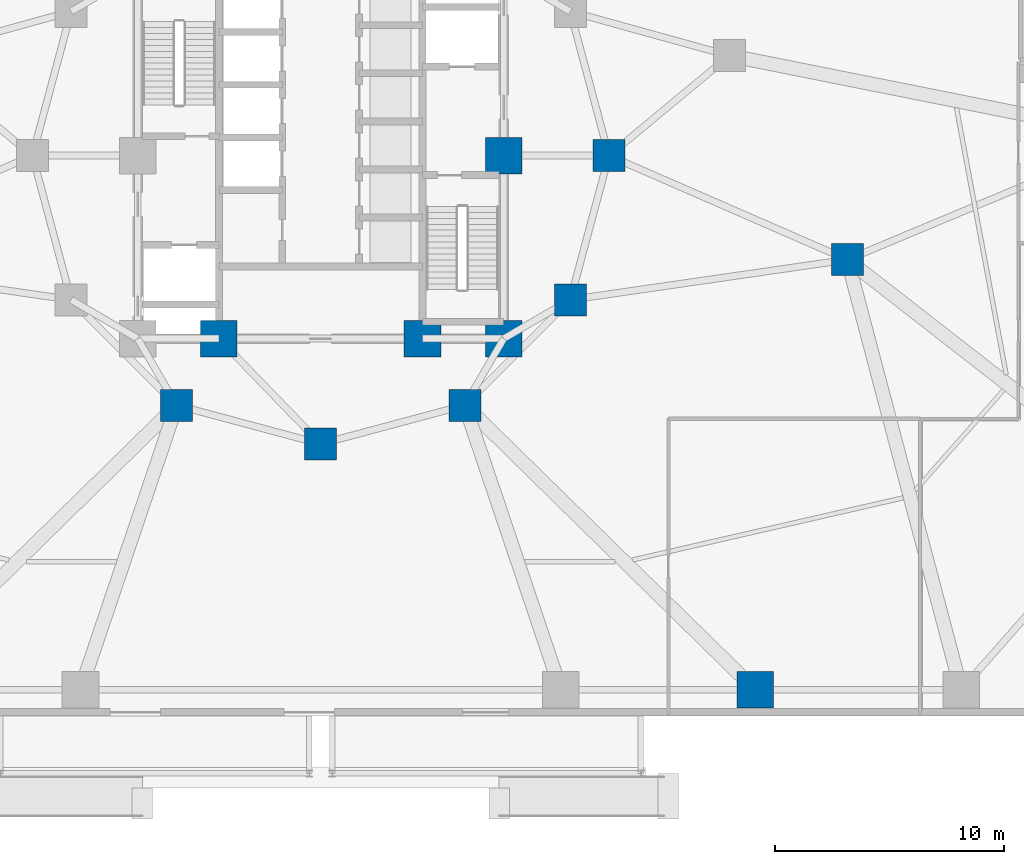
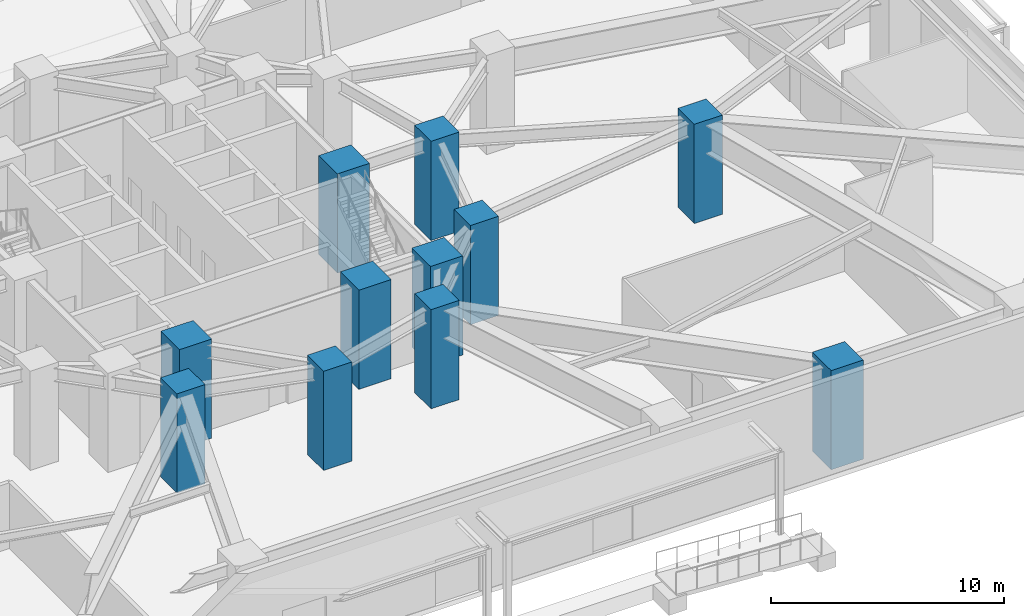
# One storey, part 4 of 30: 11 columns.
"""IFC4 building model written with IfcOpenShell, lengths in metres."""

from ifc_helpers import new_model, si_unit, direction, frame, origin, origin_2d, place, context, subcontext, project, spatial, rectangle, extrude, material, material_profile, profile_set, type_object, element, save


model = new_model("IFC4")

# Units and contexts
model_context = context("Model", 3, precision=1e-05, world=origin(), true_north=direction((0.0, 1.0)))
body_context = subcontext(model_context, "Body", "Model", "MODEL_VIEW")
ifc_project = project(units=[si_unit("LENGTHUNIT", "METRE"), si_unit("AREAUNIT", "SQUARE_METRE"), si_unit("VOLUMEUNIT", "CUBIC_METRE"), si_unit("PLANEANGLEUNIT", "RADIAN"), si_unit("MASSUNIT", "GRAM", prefix="KILO")], contexts=[model_context])

# Site, building, storey
site_placement = place(None, origin())
site = spatial("IfcSite", under=ifc_project, at=site_placement, CompositionType="ELEMENT")
building_placement = place(site_placement, origin())
building = spatial("IfcBuilding", under=site, at=building_placement, Name="Terralouvre Media Tower", CompositionType="ELEMENT")
storey_placement = place(building_placement, origin())
storey = spatial("IfcBuildingStorey", under=building, at=storey_placement, Name="L00", CompositionType="ELEMENT", Elevation=0.0)

# Columns
ifc_material_1 = material(Name="Concrete C60/75", Category="concrete")
ifc_material_profile_1 = material_profile(ifc_material_1, rectangle(XDim=1.39990234375, YDim=1.39990234375, at=origin_2d()), Name="RC 1400x1400")
ifc_profile_set_1 = profile_set([ifc_material_profile_1], Name="Concrete C60/75")
column_type_1 = type_object("IfcColumnType", Name="Structural Column C-RC1400 (RC 1400x1400)", PredefinedType="COLUMN", material=ifc_profile_set_1)
for number, where, z_axis, x_axis, name in (
    (1, (12.60009765625, 0.0, 0.0), (0.0, 0.0, 1.0), (1.0, 0.0, 0.0), "L00 Mega-Frame Column MC01"),
    (2, (-6.300048828125, -10.911865234375, 0.0), (0.0, 0.0, 1.0), (1.0, 0.0, 0.0), "L00 Mega-Frame Column MC09"),
    (3, (0.0, -12.60009765625, 0.0), (0.0, 0.0, 1.0), (1.0, 0.0, 0.0), "L00 Mega-Frame Column MC10"),
    (4, (6.300048828125, -10.911865234375, 0.0), (0.0, 0.0, 1.0), (1.0, 0.0, 0.0), "L00 Mega-Frame Column MC11"),
    (5, (10.911865234375, -6.300048828125, 0.0), (0.0, 0.0, 1.0), (1.0, 0.0, 0.0), "L00 Mega-Frame Column MC12"),
    (6, (23.02490234375, -4.546630859375, 0.0), (0.0, 0.0, 1.0), (1.0, 0.0, 0.0), "L00 Podium Transfer Column PM21"),
):
    element("IfcColumn", number, at=place(storey_placement, frame(where, z_axis=z_axis, x_axis=x_axis)), inside=storey, type_object=column_type_1, Name=name, PredefinedType="COLUMN", context=body_context, shape_type="SweptSolid", body=[
        extrude(rectangle(XDim=1.39990234375, YDim=1.39990234375, at=origin_2d()), origin(), (0.0, 0.0, 1.0), 5.199951171875),
    ])
ifc_material_2 = material(Name="Concrete C60/75", Category="concrete")
ifc_material_profile_2 = material_profile(ifc_material_2, rectangle(XDim=1.60009765625, YDim=1.60009765625, at=origin_2d()), Name="RC 1600x1600")
ifc_profile_set_2 = profile_set([ifc_material_profile_2], Name="Concrete C60/75")
column_type_2 = type_object("IfcColumnType", Name="Structural Column C-RC1600 (RC 1600x1600)", PredefinedType="COLUMN", material=ifc_profile_set_2)
for number, where, z_axis, x_axis, name in (
    (7, (-4.449951171875, -8.0, 0.0), (0.0, 0.0, 1.0), (1.0, 0.0, 0.0), "L00 Core Pilaster Column CP2"),
    (8, (4.449951171875, -8.0, 0.0), (0.0, 0.0, 1.0), (1.0, 0.0, 0.0), "L00 Core Pilaster Column CP10"),
    (9, (8.0, -8.0, 0.0), (0.0, 0.0, 1.0), (1.0, 0.0, 0.0), "L00 Core Pilaster Column CP3"),
    (10, (8.0, 0.0, 0.0), (0.0, 0.0, 1.0), (1.0, 0.0, 0.0), "L00 Core Pilaster Column CP4"),
    (11, (19.0, -23.35009765625, 0.0), (0.0, 0.0, 1.0), (1.0, 0.0, 0.0), "L00 Perimeter Mega-Column PM05"),
):
    element("IfcColumn", number, at=place(storey_placement, frame(where, z_axis=z_axis, x_axis=x_axis)), inside=storey, type_object=column_type_2, Name=name, PredefinedType="COLUMN", context=body_context, shape_type="SweptSolid", body=[
        extrude(rectangle(XDim=1.60009765625, YDim=1.60009765625, at=origin_2d()), origin(), (0.0, 0.0, 1.0), 5.199951171875),
    ])

save(model, "model.ifc")
